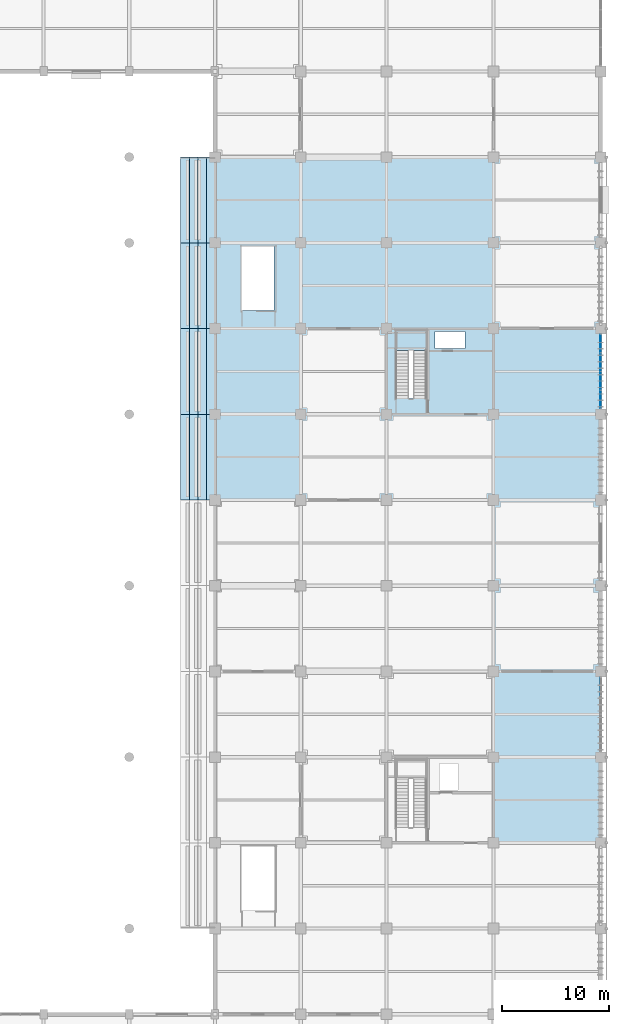
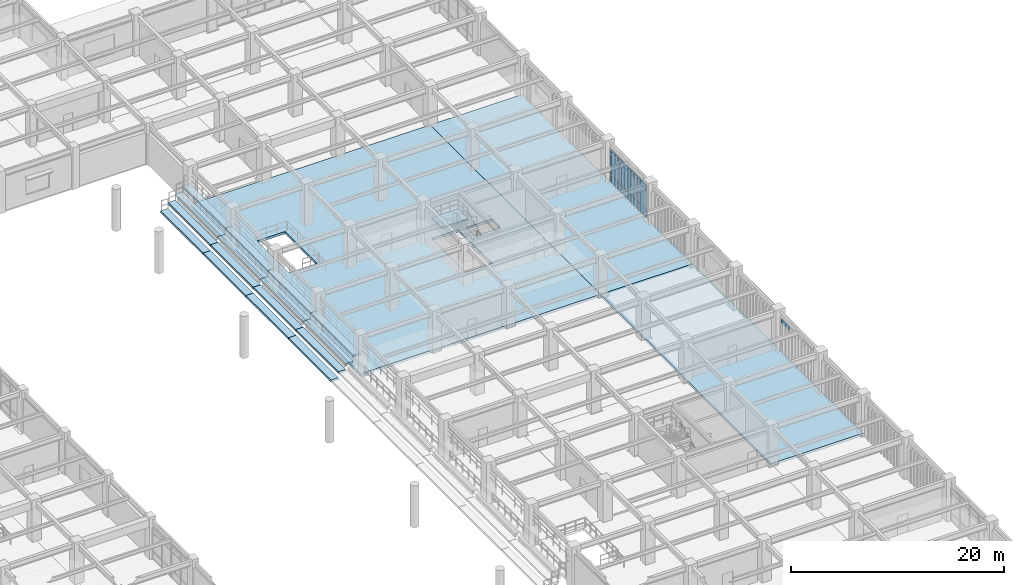
# One storey, part 65 of 117: 20 slabs, 13 plates, 3 elements without a shape of their own.
"""IFC4 building model written with IfcOpenShell, lengths in metres."""

import ifcopenshell
import ifcopenshell.guid

model = None  # the IFC model being written
_history = None  # IfcOwnerHistory: only IFC2X3 demands one
_inside = {}  # id of a spatial element -> (the spatial element, [elements in it])
_under = {}  # id of a project, library or spatial element -> (it, [spatial elements below it])
_declared = {}  # id of a project -> (the project, [libraries it declares])
_typed = {}  # id of a type object -> (the type object, [elements of that type])
_made_of = {}  # id of a material, layer set ... -> (it, [elements and type objects made of it])


def new_model(schema):
    """Start an empty IFC model of exactly this schema.

    Asked for "IFC4X3", IfcOpenShell would pick the latest addendum, in which some entities
    have other attributes; the version numbers below select the first issue.
    IFC2X3 requires an IfcOwnerHistory on every rooted entity: one is made here for all.
    """
    global model, _history
    if schema == "IFC4X3":
        model = ifcopenshell.file(schema_version=(4, 3, 0, 0))
    else:
        model = ifcopenshell.file(schema=schema)
    _inside.clear()
    _under.clear()
    _declared.clear()
    _typed.clear()
    _made_of.clear()
    _history = None
    if model.schema == "IFC2X3":
        org = make("IfcOrganization", Name="unknown")
        user = make(
            "IfcPersonAndOrganization",
            ThePerson=make("IfcPerson", FamilyName="unknown"),
            TheOrganization=org,
        )
        app = make(
            "IfcApplication",
            ApplicationDeveloper=org,
            Version="unknown",
            ApplicationFullName="unknown",
            ApplicationIdentifier="unknown",
        )
        _history = make(
            "IfcOwnerHistory",
            OwningUser=user,
            OwningApplication=app,
            ChangeAction="ADDED",
            CreationDate=0,
        )
    return model


def make(cls, **values):
    """One entity of the class cls with the attributes given. An attribute that is None is left unset."""
    return model.create_entity(
        cls, **{name: value for name, value in values.items() if value is not None}
    )


def rooted(cls, **values):
    """An entity with a GlobalId (a new one), such as an element, a storey or a relation."""
    return make(cls, GlobalId=ifcopenshell.guid.new(), OwnerHistory=_history, **values)


def si_unit(unit_type, name, prefix=None):
    """IfcSIUnit, for example si_unit("LENGTHUNIT", "METRE", prefix="MILLI")."""
    return make("IfcSIUnit", UnitType=unit_type, Prefix=prefix, Name=name)


def assignment(units):
    """IfcUnitAssignment: the units of a project."""
    return None if units is None else make("IfcUnitAssignment", Units=units)


def point(xyz):
    """IfcCartesianPoint."""
    return None if xyz is None else make("IfcCartesianPoint", Coordinates=xyz)


def direction(xyz):
    """IfcDirection."""
    return None if xyz is None else make("IfcDirection", DirectionRatios=xyz)


def frame(location, z_axis=None, x_axis=None):
    """IfcAxis2Placement3D, a coordinate frame: its origin and axes. An axis left out is left unset."""
    return make(
        "IfcAxis2Placement3D",
        Location=point(location),
        Axis=direction(z_axis),
        RefDirection=direction(x_axis),
    )


def frame_2d(location, x_axis=None):
    """IfcAxis2Placement2D, a coordinate frame in the plane: its origin and x axis."""
    return make(
        "IfcAxis2Placement2D", Location=point(location), RefDirection=direction(x_axis)
    )


def origin():
    """The frame at (0, 0, 0) with its axes left unset."""
    return frame((0.0, 0.0, 0.0))


def origin_2d():
    """The frame at (0, 0) in the plane with its x axis left unset."""
    return frame_2d((0.0, 0.0))


def place(relative_to, where):
    """IfcLocalPlacement: puts the frame where relative to a parent placement (None: the world)."""
    return make(
        "IfcLocalPlacement", PlacementRelTo=relative_to, RelativePlacement=where
    )


def context(
    kind, dimensions, precision=None, world=None, true_north=None, identifier=None
):
    """IfcGeometricRepresentationContext, for example the 3D "Model" context."""
    return make(
        "IfcGeometricRepresentationContext",
        ContextIdentifier=identifier,
        ContextType=kind,
        CoordinateSpaceDimension=dimensions,
        Precision=precision,
        WorldCoordinateSystem=world,
        TrueNorth=true_north,
    )


def subcontext(parent, identifier, kind, view, scale=None):
    """IfcGeometricRepresentationSubContext, for example "Body" below "Model"."""
    return make(
        "IfcGeometricRepresentationSubContext",
        ContextIdentifier=identifier,
        ContextType=kind,
        ParentContext=parent,
        TargetScale=scale,
        TargetView=view,
    )


def project(units=None, contexts=None):
    """IfcProject with its units and contexts."""
    return rooted(
        "IfcProject",
        Name="project",
        RepresentationContexts=contexts,
        UnitsInContext=assignment(units),
    )


def spatial(cls, under=None, at=None, **own):
    """A site, building, storey or space (cls), placed at a placement, below another one or the project."""
    s = rooted(cls, ObjectPlacement=at, **own)
    if under is not None:
        _under.setdefault(under.id(), (under, []))[1].append(s)
    return s


def polyline(points):
    """IfcPolyline through the points."""
    return make("IfcPolyline", Points=[point(p) for p in points])


def profile(cls, at=None, kind="AREA", **sizes):
    """A parametric profile (cls). Its sizes go by their IFC names, for example OverallWidth=200.0."""
    return make(cls, ProfileType=kind, Position=at, **sizes)


def rectangle(**sizes):
    """IfcRectangleProfileDef."""
    return profile("IfcRectangleProfileDef", **sizes)


def outline(outer, holes=None, kind="AREA"):
    """IfcArbitraryClosedProfileDef: a profile drawn as a closed curve; with holes, ...WithVoids."""
    if holes is None:
        return make("IfcArbitraryClosedProfileDef", ProfileType=kind, OuterCurve=outer)
    return make(
        "IfcArbitraryProfileDefWithVoids",
        ProfileType=kind,
        OuterCurve=outer,
        InnerCurves=holes,
    )


def extrude(swept, where, along, depth):
    """IfcExtrudedAreaSolid: the profile swept, set in the frame where, extruded along a direction by depth."""
    return make(
        "IfcExtrudedAreaSolid",
        SweptArea=swept,
        Position=where,
        ExtrudedDirection=direction(along),
        Depth=depth,
    )


def shape(context_of_items, identifier, shape_type, items):
    """IfcShapeRepresentation: the items that make up one representation, for example the "Body"."""
    return make(
        "IfcShapeRepresentation",
        ContextOfItems=context_of_items,
        RepresentationIdentifier=identifier,
        RepresentationType=shape_type,
        Items=items,
    )


def material(Name=None, Category=None):
    """IfcMaterial."""
    return make("IfcMaterial", Name=Name, Category=Category)


def layer(
    of_material, thickness, ventilated=None, Name=None, Category=None, Priority=None
):
    """IfcMaterialLayer: one layer of a wall or slab, of a material (None: an air gap)."""
    return make(
        "IfcMaterialLayer",
        Material=of_material,
        LayerThickness=thickness,
        IsVentilated=ventilated,
        Name=Name,
        Category=Category,
        Priority=Priority,
    )


def layer_set(layers, Name=None):
    """IfcMaterialLayerSet."""
    return make("IfcMaterialLayerSet", MaterialLayers=layers, LayerSetName=Name)


def made_of(thing, what):
    """Note that an element or type object is made of a material, layer set ...; save() writes the relation."""
    if what is not None:
        _made_of.setdefault(what.id(), (what, []))[1].append(thing)
    return thing


def type_object(cls, material=None, **own):
    """A type object (cls), such as IfcWallType, which elements share."""
    return made_of(rooted(cls, **own), material)


def element(
    cls,
    number,
    at=None,
    inside=None,
    cuts=None,
    type_object=None,
    material=None,
    context=None,
    identifier="Body",
    shape_type=None,
    held_by="IfcProductDefinitionShape",
    body=None,
    shapes=None,
    **own,
):
    """One element of the class cls, such as IfcWall. Its Tag is "e" and its number.

    at: its placement. inside: the storey or other place that contains it. cuts: it is an
    opening in that element (IfcRelVoidsElement). A single representation is given by context,
    identifier, shape_type and body (its items); several are given by shapes. held_by: the class
    of the entity that holds the representations. save() writes the other relations.
    """
    e = rooted(cls, Tag="e%d" % number, ObjectPlacement=at, **own)
    if body is not None:
        shapes = [shape(context, identifier, shape_type, body)]
    if shapes is not None:
        e.Representation = make(held_by, Representations=shapes)
    if inside is not None:
        _inside.setdefault(inside.id(), (inside, []))[1].append(e)
    if cuts is not None:
        rooted(
            "IfcRelVoidsElement", RelatingBuildingElement=cuts, RelatedOpeningElement=e
        )
    if type_object is not None:
        _typed.setdefault(type_object.id(), (type_object, []))[1].append(e)
    return made_of(e, material)


def aggregate(whole, parts):
    """IfcRelAggregates: a whole, such as a stair, and the parts it consists of."""
    return rooted("IfcRelAggregates", RelatingObject=whole, RelatedObjects=parts)


def save(model, path):
    """Write the relations noted so far, then the file.

    IfcRelAggregates (storeys below a building ...), IfcRelContainedInSpatialStructure (elements
    in a storey), IfcRelDefinesByType, IfcRelAssociatesMaterial and IfcRelDeclares: one each for
    every whole, place, type object, material and project.
    """
    for whole, parts in _under.values():
        aggregate(whole, parts)
    for where, things in _inside.values():
        rooted(
            "IfcRelContainedInSpatialStructure",
            RelatedElements=things,
            RelatingStructure=where,
        )
    for kind, things in _typed.values():
        rooted("IfcRelDefinesByType", RelatedObjects=things, RelatingType=kind)
    for what, things in _made_of.values():
        rooted("IfcRelAssociatesMaterial", RelatedObjects=things, RelatingMaterial=what)
    for by, libraries in _declared.values():
        rooted("IfcRelDeclares", RelatingContext=by, RelatedDefinitions=libraries)
    model.write(path)


model = new_model("IFC4")

# Units and contexts
model_context = context("Model", 3, precision=1e-05, world=origin(), true_north=direction((0.0, 1.0)))
body_context = subcontext(model_context, "Body", "Model", "MODEL_VIEW")
ifc_project = project(units=[si_unit("LENGTHUNIT", "METRE"), si_unit("AREAUNIT", "SQUARE_METRE"), si_unit("VOLUMEUNIT", "CUBIC_METRE"), si_unit("PLANEANGLEUNIT", "RADIAN"), si_unit("MASSUNIT", "GRAM", prefix="KILO")], contexts=[model_context])

# Site, building, storey
site_placement = place(None, origin())
site = spatial("IfcSite", under=ifc_project, at=site_placement, CompositionType="ELEMENT")
building_placement = place(site_placement, origin())
building = spatial("IfcBuilding", under=site, at=building_placement, Name="Haebicheon Civic Stadium", CompositionType="ELEMENT")
storey_placement = place(building_placement, frame((0.0, 0.0, 4.800048828125)))
storey = spatial("IfcBuildingStorey", under=building, at=storey_placement, Name="L02", CompositionType="ELEMENT", Elevation=4.800048828125)

# Curtain wall, plates
ifc_material_1 = material(Name="Anodised aluminium and laminated glass", Category="aluminium")
ifc_layer_1 = layer(ifc_material_1, 0.179931640625, Name="Anodised aluminium and laminated glass")
ifc_layer_set_1 = layer_set([ifc_layer_1], Name="Anodised aluminium and laminated glass")
curtain_wall_type = type_object("IfcCurtainWallType", Name="CW-7000x3810", PredefinedType="NOTDEFINED", material=ifc_layer_set_1)
curtain_wall_1_placement = place(storey_placement, origin())
curtain_wall_1 = element("IfcCurtainWall", 1, at=curtain_wall_1_placement, inside=storey, type_object=curtain_wall_type, material=ifc_layer_set_1, Name="L02 unitised curtain wall 067", PredefinedType="NOTDEFINED")
ifc_material_2 = material(Name="Double low-e laminated glass", Category="glass")
ifc_layer_2 = layer(ifc_material_2, 0.028076171875, Name="Double low-e laminated glass")
ifc_layer_set_2 = layer_set([ifc_layer_2], Name="Double low-e laminated glass")
plate_type_1 = type_object("IfcPlateType", Name="CWP-GLZ-28", PredefinedType="CURTAIN_PANEL", material=ifc_layer_set_2)
plate_1_placement = place(storey_placement, frame((236.0, 105.39208984375, 0.934814453125), z_axis=(0.0, 0.0, 1.0), x_axis=(0.0, 1.0, 0.0)))
plate_1 = element("IfcPlate", 2, at=plate_1_placement, type_object=plate_type_1, material=ifc_layer_set_2, Name="CW-L02-067 vision panel 1.2", PredefinedType="CURTAIN_PANEL", context=body_context, shape_type="SweptSolid", body=[
    extrude(rectangle(XDim=1.64501953125, YDim=0.028076171875, at=origin_2d()), origin(), (0.0, 0.0, 1.0), 2.2900390625),
])
plate_2_placement = place(storey_placement, frame((236.0, 107.125, 0.934814453125), z_axis=(0.0, 0.0, 1.0), x_axis=(0.0, 1.0, 0.0)))
plate_2 = element("IfcPlate", 3, at=plate_2_placement, type_object=plate_type_1, material=ifc_layer_set_2, Name="CW-L02-067 vision panel 2.2", PredefinedType="CURTAIN_PANEL", context=body_context, shape_type="SweptSolid", body=[
    extrude(rectangle(XDim=1.679931640625, YDim=0.028076171875, at=origin_2d()), origin(), (0.0, 0.0, 1.0), 2.2900390625),
])
plate_3_placement = place(storey_placement, frame((236.0, 108.875, 0.934814453125), z_axis=(0.0, 0.0, 1.0), x_axis=(0.0, 1.0, 0.0)))
plate_3 = element("IfcPlate", 4, at=plate_3_placement, type_object=plate_type_1, material=ifc_layer_set_2, Name="CW-L02-067 vision panel 3.2", PredefinedType="CURTAIN_PANEL", context=body_context, shape_type="SweptSolid", body=[
    extrude(rectangle(XDim=1.679931640625, YDim=0.028076171875, at=origin_2d()), origin(), (0.0, 0.0, 1.0), 2.2900390625),
])
plate_4_placement = place(storey_placement, frame((236.0, 110.60791015625, 0.934814453125), z_axis=(0.0, 0.0, 1.0), x_axis=(0.0, 1.0, 0.0)))
plate_4 = element("IfcPlate", 5, at=plate_4_placement, type_object=plate_type_1, material=ifc_layer_set_2, Name="CW-L02-067 vision panel 4.2", PredefinedType="CURTAIN_PANEL", context=body_context, shape_type="SweptSolid", body=[
    extrude(rectangle(XDim=1.64501953125, YDim=0.028076171875, at=origin_2d()), origin(), (0.0, 0.0, 1.0), 2.2900390625),
])

# Curtain wall, plate
curtain_wall_2_placement = place(storey_placement, origin())
curtain_wall_2 = element("IfcCurtainWall", 6, at=curtain_wall_2_placement, inside=storey, type_object=curtain_wall_type, material=ifc_layer_set_1, Name="L02 unitised curtain wall 066", PredefinedType="NOTDEFINED")
ifc_material_3 = material(Name="Anodised aluminium 6063-T6", Category="aluminium")
ifc_layer_3 = layer(ifc_material_3, 0.053955078125, Name="Anodised aluminium 6063-T6")
ifc_layer_set_3 = layer_set([ifc_layer_3], Name="Anodised aluminium 6063-T6")
plate_type_2 = type_object("IfcPlateType", Name="CWP-SPD-54", PredefinedType="CURTAIN_PANEL", material=ifc_layer_set_3)
plate_5_placement = place(storey_placement, frame((236.0, 78.60791015625, 3.294921875), z_axis=(0.0, 0.0, 1.0), x_axis=(0.0, 1.0, 0.0)))
plate_5 = element("IfcPlate", 7, at=plate_5_placement, type_object=plate_type_2, material=ifc_layer_set_3, Name="CW-L02-066 spandrel panel 4.3", PredefinedType="CURTAIN_PANEL", context=body_context, shape_type="SweptSolid", body=[
    extrude(rectangle(XDim=1.64501953125, YDim=0.053955078125, at=origin_2d()), origin(), (0.0, 0.0, 1.0), 0.47998046875),
])
aggregate(curtain_wall_2, [plate_5])

# Plate
plate_6_placement = place(storey_placement, frame((236.0, 105.39208984375, 0.034912109375), z_axis=(0.0, 0.0, 1.0), x_axis=(0.0, 1.0, 0.0)))
plate_6 = element("IfcPlate", 8, at=plate_6_placement, type_object=plate_type_2, material=ifc_layer_set_3, Name="CW-L02-067 spandrel panel 1.1", PredefinedType="CURTAIN_PANEL", context=body_context, shape_type="SweptSolid", body=[
    extrude(rectangle(XDim=1.64501953125, YDim=0.053955078125, at=origin_2d()), origin(), (0.0, 0.0, 1.0), 0.830078125),
])

plate_7_placement = place(storey_placement, frame((236.0, 105.39208984375, 3.294921875), z_axis=(0.0, 0.0, 1.0), x_axis=(0.0, 1.0, 0.0)))
plate_7 = element("IfcPlate", 9, at=plate_7_placement, type_object=plate_type_2, material=ifc_layer_set_3, Name="CW-L02-067 spandrel panel 1.3", PredefinedType="CURTAIN_PANEL", context=body_context, shape_type="SweptSolid", body=[
    extrude(rectangle(XDim=1.64501953125, YDim=0.053955078125, at=origin_2d()), origin(), (0.0, 0.0, 1.0), 0.47998046875),
])

plate_8_placement = place(storey_placement, frame((236.0, 107.125, 0.034912109375), z_axis=(0.0, 0.0, 1.0), x_axis=(0.0, 1.0, 0.0)))
plate_8 = element("IfcPlate", 10, at=plate_8_placement, type_object=plate_type_2, material=ifc_layer_set_3, Name="CW-L02-067 spandrel panel 2.1", PredefinedType="CURTAIN_PANEL", context=body_context, shape_type="SweptSolid", body=[
    extrude(rectangle(XDim=1.679931640625, YDim=0.053955078125, at=origin_2d()), origin(), (0.0, 0.0, 1.0), 0.830078125),
])

plate_9_placement = place(storey_placement, frame((236.0, 107.125, 3.294921875), z_axis=(0.0, 0.0, 1.0), x_axis=(0.0, 1.0, 0.0)))
plate_9 = element("IfcPlate", 11, at=plate_9_placement, type_object=plate_type_2, material=ifc_layer_set_3, Name="CW-L02-067 spandrel panel 2.3", PredefinedType="CURTAIN_PANEL", context=body_context, shape_type="SweptSolid", body=[
    extrude(rectangle(XDim=1.679931640625, YDim=0.053955078125, at=origin_2d()), origin(), (0.0, 0.0, 1.0), 0.47998046875),
])

plate_10_placement = place(storey_placement, frame((236.0, 108.875, 0.034912109375), z_axis=(0.0, 0.0, 1.0), x_axis=(0.0, 1.0, 0.0)))
plate_10 = element("IfcPlate", 12, at=plate_10_placement, type_object=plate_type_2, material=ifc_layer_set_3, Name="CW-L02-067 spandrel panel 3.1", PredefinedType="CURTAIN_PANEL", context=body_context, shape_type="SweptSolid", body=[
    extrude(rectangle(XDim=1.679931640625, YDim=0.053955078125, at=origin_2d()), origin(), (0.0, 0.0, 1.0), 0.830078125),
])

plate_11_placement = place(storey_placement, frame((236.0, 108.875, 3.294921875), z_axis=(0.0, 0.0, 1.0), x_axis=(0.0, 1.0, 0.0)))
plate_11 = element("IfcPlate", 13, at=plate_11_placement, type_object=plate_type_2, material=ifc_layer_set_3, Name="CW-L02-067 spandrel panel 3.3", PredefinedType="CURTAIN_PANEL", context=body_context, shape_type="SweptSolid", body=[
    extrude(rectangle(XDim=1.679931640625, YDim=0.053955078125, at=origin_2d()), origin(), (0.0, 0.0, 1.0), 0.47998046875),
])

plate_12_placement = place(storey_placement, frame((236.0, 110.60791015625, 0.034912109375), z_axis=(0.0, 0.0, 1.0), x_axis=(0.0, 1.0, 0.0)))
plate_12 = element("IfcPlate", 14, at=plate_12_placement, type_object=plate_type_2, material=ifc_layer_set_3, Name="CW-L02-067 spandrel panel 4.1", PredefinedType="CURTAIN_PANEL", context=body_context, shape_type="SweptSolid", body=[
    extrude(rectangle(XDim=1.64501953125, YDim=0.053955078125, at=origin_2d()), origin(), (0.0, 0.0, 1.0), 0.830078125),
])

plate_13_placement = place(storey_placement, frame((236.0, 110.60791015625, 3.294921875), z_axis=(0.0, 0.0, 1.0), x_axis=(0.0, 1.0, 0.0)))
plate_13 = element("IfcPlate", 15, at=plate_13_placement, type_object=plate_type_2, material=ifc_layer_set_3, Name="CW-L02-067 spandrel panel 4.3", PredefinedType="CURTAIN_PANEL", context=body_context, shape_type="SweptSolid", body=[
    extrude(rectangle(XDim=1.64501953125, YDim=0.053955078125, at=origin_2d()), origin(), (0.0, 0.0, 1.0), 0.47998046875),
])

aggregate(curtain_wall_1, [plate_6, plate_1, plate_7, plate_8, plate_2, plate_9, plate_10, plate_3, plate_11, plate_12, plate_4, plate_13])

# Slabs
ifc_material_4 = material(Name="Concrete C40/50", Category="concrete")
ifc_layer_4 = layer(ifc_material_4, 0.280029296875, Name="Concrete C40/50")
ifc_layer_set_4 = layer_set([ifc_layer_4], Name="Concrete C40/50")
slab_type_1 = type_object("IfcSlabType", Name="SLB-FLR-280", PredefinedType="FLOOR", material=ifc_layer_set_4)
slab_1_placement = place(storey_placement, frame((0.0, 0.0, -0.280029296875)))
element("IfcSlab", 16, at=slab_1_placement, inside=storey, type_object=slab_type_1, material=ifc_layer_set_4, Name="L02 V3 structural slab 3.1", PredefinedType="FLOOR", context=body_context, shape_type="SweptSolid", body=[
    extrude(outline(polyline([(200.0, 112.0), (200.0, 120.0), (200.0, 128.0), (208.0, 128.0), (216.0, 128.0), (226.0, 128.0), (226.0, 120.0), (226.0, 112.0), (226.0, 104.0), (226.0, 96.0), (216.0, 96.0), (208.0, 96.0), (200.0, 96.0), (200.0, 104.0), (200.0, 112.0)]), holes=[polyline([(216.840087890625, 105.4599609375), (219.739990234375, 105.4599609375), (219.739990234375, 111.840087890625), (216.840087890625, 111.840087890625), (216.840087890625, 105.4599609375)]), polyline([(220.550048828125, 110.14990234375), (223.35009765625, 110.14990234375), (223.35009765625, 111.75), (220.550048828125, 111.75), (220.550048828125, 110.14990234375)]), polyline([(202.4599609375, 113.699951171875), (205.5, 113.699951171875), (205.5, 119.699951171875), (202.4599609375, 119.699951171875), (202.4599609375, 113.699951171875)])]), origin(), (0.0, 0.0, 1.0), 0.280029296875),
])
slab_2_placement = place(storey_placement, frame((0.0, 0.0, -0.280029296875)))
element("IfcSlab", 17, at=slab_2_placement, inside=storey, type_object=slab_type_1, material=ifc_layer_set_4, Name="L02 V3 structural slab 6.1", PredefinedType="FLOOR", context=body_context, shape_type="SweptSolid", body=[
    extrude(outline(polyline([(226.0, 64.0), (226.0, 72.0), (226.0, 80.0), (226.0, 88.0), (226.0, 96.0), (236.0, 96.0), (236.0, 88.0), (236.0, 80.0), (236.0, 72.0), (236.0, 64.0), (226.0, 64.0)])), origin(), (0.0, 0.0, 1.0), 0.280029296875),
])
slab_3_placement = place(storey_placement, frame((0.0, 0.0, -0.280029296875)))
element("IfcSlab", 18, at=slab_3_placement, inside=storey, type_object=slab_type_1, material=ifc_layer_set_4, Name="L02 V3 structural slab 7.1", PredefinedType="FLOOR", context=body_context, shape_type="SweptSolid", body=[
    extrude(outline(polyline([(226.0, 96.0), (226.0, 104.0), (226.0, 112.0), (226.0, 120.0), (226.0, 128.0), (236.0, 128.0), (236.0, 120.0), (236.0, 112.0), (236.0, 104.0), (236.0, 96.0), (226.0, 96.0)])), origin(), (0.0, 0.0, 1.0), 0.280029296875),
])

# Stair, slab
ifc_material_5 = material(Name="Concrete C40/50", Category="concrete")
stair_type = type_object("IfcStairType", Name="STR-DL-W126-H48", PredefinedType="HALF_TURN_STAIR", material=ifc_material_5)
stair_placement = place(storey_placement, origin())
stair = element("IfcStair", 19, at=stair_placement, inside=storey, type_object=stair_type, material=ifc_material_5, Name="L02 Escape stair ST-13", PredefinedType="HALF_TURN_STAIR")
ifc_material_6 = material(Name="Concrete C40/50", Category="concrete")
ifc_layer_5 = layer(ifc_material_6, 0.199951171875, Name="Concrete C40/50")
ifc_layer_set_5 = layer_set([ifc_layer_5], Name="Concrete C40/50")
slab_type_2 = type_object("IfcSlabType", Name="SLB-LND-200", PredefinedType="LANDING", material=ifc_layer_set_5)
slab_4_placement = place(storey_placement, frame((0.0, 0.0, 2.199951171875)))
slab_4 = element("IfcSlab", 20, at=slab_4_placement, type_object=slab_type_2, material=ifc_layer_set_5, Name="ST-13 landing 1", PredefinedType="LANDING", context=body_context, shape_type="SweptSolid", body=[
    extrude(outline(polyline([(219.739990234375, 109.949951171875), (219.739990234375, 111.840087890625), (216.840087890625, 111.840087890625), (216.840087890625, 109.949951171875), (219.739990234375, 109.949951171875)])), origin(), (0.0, 0.0, 1.0), 0.199951171875),
])
aggregate(stair, [slab_4])

# Slabs
ifc_material_7 = material(Name="Precast concrete C40/50", Category="concrete")
ifc_layer_6 = layer(ifc_material_7, 0.239990234375, Name="Precast concrete C40/50")
ifc_layer_set_6 = layer_set([ifc_layer_6], Name="Precast concrete C40/50")
slab_type_3 = type_object("IfcSlabType", Name="SLB-TIER-240", PredefinedType="USERDEFINED", material=ifc_layer_set_6)
slab_5_placement = place(storey_placement, frame((0.0, 0.0, 0.159912109375)))
element("IfcSlab", 21, at=slab_5_placement, inside=storey, type_object=slab_type_3, material=ifc_layer_set_6, Name="TIER-C-L precast seating tier bay 6 row-band 7", ObjectType="SEATING TIER", PredefinedType="USERDEFINED", context=body_context, shape_type="SweptSolid", body=[
    extrude(outline(polyline([(196.800048828125, 96.0), (197.60009765625, 96.0), (197.60009765625, 104.0), (196.800048828125, 104.0), (196.800048828125, 96.0)])), origin(), (0.0, 0.0, 1.0), 0.239990234375),
])
slab_6_placement = place(storey_placement, frame((0.0, 0.0, 0.826904296875)))
element("IfcSlab", 22, at=slab_6_placement, inside=storey, type_object=slab_type_3, material=ifc_layer_set_6, Name="TIER-C-L precast seating tier bay 6 row-band 8", ObjectType="SEATING TIER", PredefinedType="USERDEFINED", context=body_context, shape_type="SweptSolid", body=[
    extrude(outline(polyline([(197.60009765625, 96.0), (198.39990234375, 96.0), (198.39990234375, 104.0), (197.60009765625, 104.0), (197.60009765625, 96.0)])), origin(), (0.0, 0.0, 1.0), 0.239990234375),
])
slab_7_placement = place(storey_placement, frame((0.0, 0.0, 1.492919921875)))
element("IfcSlab", 23, at=slab_7_placement, inside=storey, type_object=slab_type_3, material=ifc_layer_set_6, Name="TIER-C-L precast seating tier bay 6 row-band 9", ObjectType="SEATING TIER", PredefinedType="USERDEFINED", context=body_context, shape_type="SweptSolid", body=[
    extrude(outline(polyline([(198.39990234375, 96.0), (199.199951171875, 96.0), (199.199951171875, 104.0), (198.39990234375, 104.0), (198.39990234375, 96.0)])), origin(), (0.0, 0.0, 1.0), 0.239990234375),
])
slab_8_placement = place(storey_placement, frame((0.0, 0.0, 2.159912109375)))
element("IfcSlab", 24, at=slab_8_placement, inside=storey, type_object=slab_type_3, material=ifc_layer_set_6, Name="TIER-C-L precast seating tier bay 6 row-band 10", ObjectType="SEATING TIER", PredefinedType="USERDEFINED", context=body_context, shape_type="SweptSolid", body=[
    extrude(outline(polyline([(199.199951171875, 96.0), (200.0, 96.0), (200.0, 104.0), (199.199951171875, 104.0), (199.199951171875, 96.0)])), origin(), (0.0, 0.0, 1.0), 0.239990234375),
])
slab_9_placement = place(storey_placement, frame((0.0, 0.0, 0.159912109375)))
element("IfcSlab", 25, at=slab_9_placement, inside=storey, type_object=slab_type_3, material=ifc_layer_set_6, Name="TIER-C-L precast seating tier bay 7 row-band 7", ObjectType="SEATING TIER", PredefinedType="USERDEFINED", context=body_context, shape_type="SweptSolid", body=[
    extrude(outline(polyline([(196.800048828125, 104.0), (197.60009765625, 104.0), (197.60009765625, 112.0), (196.800048828125, 112.0), (196.800048828125, 104.0)])), origin(), (0.0, 0.0, 1.0), 0.239990234375),
])
slab_10_placement = place(storey_placement, frame((0.0, 0.0, 0.826904296875)))
element("IfcSlab", 26, at=slab_10_placement, inside=storey, type_object=slab_type_3, material=ifc_layer_set_6, Name="TIER-C-L precast seating tier bay 7 row-band 8", ObjectType="SEATING TIER", PredefinedType="USERDEFINED", context=body_context, shape_type="SweptSolid", body=[
    extrude(outline(polyline([(197.60009765625, 104.0), (198.39990234375, 104.0), (198.39990234375, 112.0), (197.60009765625, 112.0), (197.60009765625, 104.0)])), origin(), (0.0, 0.0, 1.0), 0.239990234375),
])
slab_11_placement = place(storey_placement, frame((0.0, 0.0, 1.492919921875)))
element("IfcSlab", 27, at=slab_11_placement, inside=storey, type_object=slab_type_3, material=ifc_layer_set_6, Name="TIER-C-L precast seating tier bay 7 row-band 9", ObjectType="SEATING TIER", PredefinedType="USERDEFINED", context=body_context, shape_type="SweptSolid", body=[
    extrude(outline(polyline([(198.39990234375, 104.0), (199.199951171875, 104.0), (199.199951171875, 112.0), (198.39990234375, 112.0), (198.39990234375, 104.0)])), origin(), (0.0, 0.0, 1.0), 0.239990234375),
])
slab_12_placement = place(storey_placement, frame((0.0, 0.0, 2.159912109375)))
element("IfcSlab", 28, at=slab_12_placement, inside=storey, type_object=slab_type_3, material=ifc_layer_set_6, Name="TIER-C-L precast seating tier bay 7 row-band 10", ObjectType="SEATING TIER", PredefinedType="USERDEFINED", context=body_context, shape_type="SweptSolid", body=[
    extrude(outline(polyline([(199.199951171875, 104.0), (200.0, 104.0), (200.0, 112.0), (199.199951171875, 112.0), (199.199951171875, 104.0)])), origin(), (0.0, 0.0, 1.0), 0.239990234375),
])
slab_13_placement = place(storey_placement, frame((0.0, 0.0, 0.159912109375)))
element("IfcSlab", 29, at=slab_13_placement, inside=storey, type_object=slab_type_3, material=ifc_layer_set_6, Name="TIER-C-L precast seating tier bay 8 row-band 7", ObjectType="SEATING TIER", PredefinedType="USERDEFINED", context=body_context, shape_type="SweptSolid", body=[
    extrude(outline(polyline([(196.800048828125, 112.0), (197.60009765625, 112.0), (197.60009765625, 120.0), (196.800048828125, 120.0), (196.800048828125, 112.0)])), origin(), (0.0, 0.0, 1.0), 0.239990234375),
])
slab_14_placement = place(storey_placement, frame((0.0, 0.0, 0.826904296875)))
element("IfcSlab", 30, at=slab_14_placement, inside=storey, type_object=slab_type_3, material=ifc_layer_set_6, Name="TIER-C-L precast seating tier bay 8 row-band 8", ObjectType="SEATING TIER", PredefinedType="USERDEFINED", context=body_context, shape_type="SweptSolid", body=[
    extrude(outline(polyline([(197.60009765625, 112.0), (198.39990234375, 112.0), (198.39990234375, 120.0), (197.60009765625, 120.0), (197.60009765625, 112.0)])), origin(), (0.0, 0.0, 1.0), 0.239990234375),
])
slab_15_placement = place(storey_placement, frame((0.0, 0.0, 1.492919921875)))
element("IfcSlab", 31, at=slab_15_placement, inside=storey, type_object=slab_type_3, material=ifc_layer_set_6, Name="TIER-C-L precast seating tier bay 8 row-band 9", ObjectType="SEATING TIER", PredefinedType="USERDEFINED", context=body_context, shape_type="SweptSolid", body=[
    extrude(outline(polyline([(198.39990234375, 112.0), (199.199951171875, 112.0), (199.199951171875, 120.0), (198.39990234375, 120.0), (198.39990234375, 112.0)])), origin(), (0.0, 0.0, 1.0), 0.239990234375),
])
slab_16_placement = place(storey_placement, frame((0.0, 0.0, 2.159912109375)))
element("IfcSlab", 32, at=slab_16_placement, inside=storey, type_object=slab_type_3, material=ifc_layer_set_6, Name="TIER-C-L precast seating tier bay 8 row-band 10", ObjectType="SEATING TIER", PredefinedType="USERDEFINED", context=body_context, shape_type="SweptSolid", body=[
    extrude(outline(polyline([(199.199951171875, 112.0), (200.0, 112.0), (200.0, 120.0), (199.199951171875, 120.0), (199.199951171875, 112.0)])), origin(), (0.0, 0.0, 1.0), 0.239990234375),
])
slab_17_placement = place(storey_placement, frame((0.0, 0.0, 0.159912109375)))
element("IfcSlab", 33, at=slab_17_placement, inside=storey, type_object=slab_type_3, material=ifc_layer_set_6, Name="TIER-C-L precast seating tier bay 9 row-band 7", ObjectType="SEATING TIER", PredefinedType="USERDEFINED", context=body_context, shape_type="SweptSolid", body=[
    extrude(outline(polyline([(196.800048828125, 120.0), (197.60009765625, 120.0), (197.60009765625, 128.0), (196.800048828125, 128.0), (196.800048828125, 120.0)])), origin(), (0.0, 0.0, 1.0), 0.239990234375),
])
slab_18_placement = place(storey_placement, frame((0.0, 0.0, 0.826904296875)))
element("IfcSlab", 34, at=slab_18_placement, inside=storey, type_object=slab_type_3, material=ifc_layer_set_6, Name="TIER-C-L precast seating tier bay 9 row-band 8", ObjectType="SEATING TIER", PredefinedType="USERDEFINED", context=body_context, shape_type="SweptSolid", body=[
    extrude(outline(polyline([(197.60009765625, 120.0), (198.39990234375, 120.0), (198.39990234375, 128.0), (197.60009765625, 128.0), (197.60009765625, 120.0)])), origin(), (0.0, 0.0, 1.0), 0.239990234375),
])
slab_19_placement = place(storey_placement, frame((0.0, 0.0, 1.492919921875)))
element("IfcSlab", 35, at=slab_19_placement, inside=storey, type_object=slab_type_3, material=ifc_layer_set_6, Name="TIER-C-L precast seating tier bay 9 row-band 9", ObjectType="SEATING TIER", PredefinedType="USERDEFINED", context=body_context, shape_type="SweptSolid", body=[
    extrude(outline(polyline([(198.39990234375, 120.0), (199.199951171875, 120.0), (199.199951171875, 128.0), (198.39990234375, 128.0), (198.39990234375, 120.0)])), origin(), (0.0, 0.0, 1.0), 0.239990234375),
])
slab_20_placement = place(storey_placement, frame((0.0, 0.0, 2.159912109375)))
element("IfcSlab", 36, at=slab_20_placement, inside=storey, type_object=slab_type_3, material=ifc_layer_set_6, Name="TIER-C-L precast seating tier bay 9 row-band 10", ObjectType="SEATING TIER", PredefinedType="USERDEFINED", context=body_context, shape_type="SweptSolid", body=[
    extrude(outline(polyline([(199.199951171875, 120.0), (200.0, 120.0), (200.0, 128.0), (199.199951171875, 128.0), (199.199951171875, 120.0)])), origin(), (0.0, 0.0, 1.0), 0.239990234375),
])

save(model, "model.ifc")
